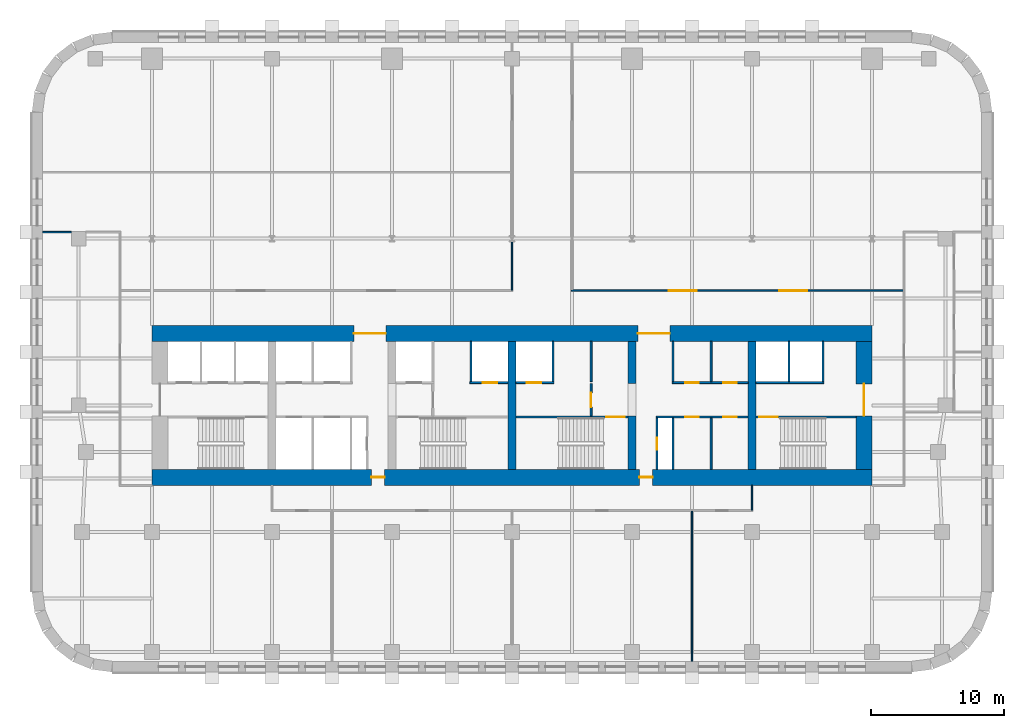
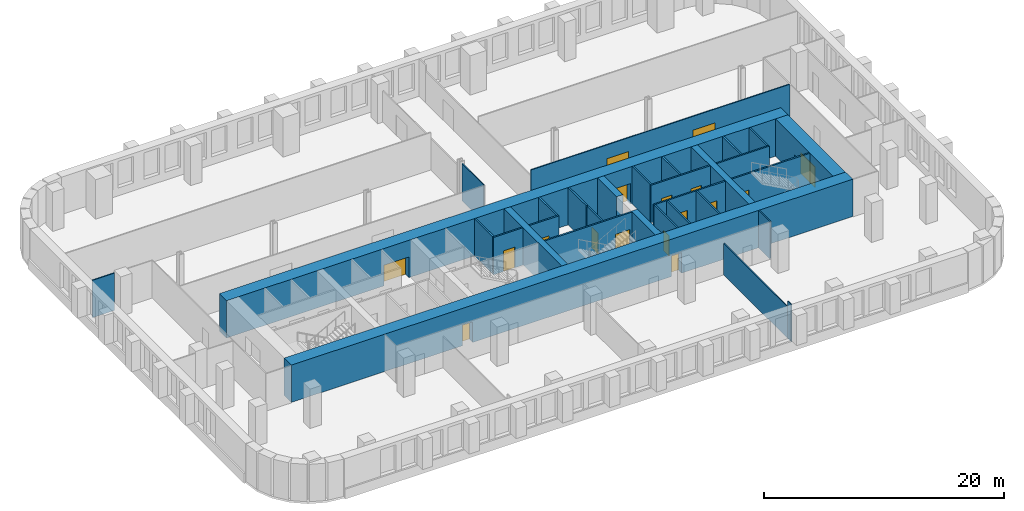
# One storey, part 6 of 11: 31 walls, 17 doors, 17 openings.
"""IFC4 building model written with IfcOpenShell, lengths in metres."""

from ifc_helpers import new_model, si_unit, direction, frame, frame_2d, origin, place, context, subcontext, project, spatial, rectangle, extrude, material, layer, layer_set, type_object, element, fill, save


model = new_model("IFC4")

# Units and contexts
model_context = context("Model", 3, precision=1e-05, world=origin(), true_north=direction((0.0, 1.0)))
body_context = subcontext(model_context, "Body", "Model", "MODEL_VIEW")
ifc_project = project(units=[si_unit("LENGTHUNIT", "METRE"), si_unit("AREAUNIT", "SQUARE_METRE"), si_unit("VOLUMEUNIT", "CUBIC_METRE"), si_unit("PLANEANGLEUNIT", "RADIAN"), si_unit("MASSUNIT", "GRAM", prefix="KILO")], contexts=[model_context])

# Site, building, storey
site_placement = place(None, origin())
site = spatial("IfcSite", under=ifc_project, at=site_placement, CompositionType="ELEMENT")
building_placement = place(site_placement, origin())
building = spatial("IfcBuilding", under=site, at=building_placement, Name="Zellij Exchange Tower", CompositionType="ELEMENT")
storey_placement = place(building_placement, frame((0.0, 0.0, 80.5)))
storey = spatial("IfcBuildingStorey", under=building, at=storey_placement, Name="L16", CompositionType="ELEMENT", Elevation=80.5)

# Walls
ifc_material_1 = material(Name="Concrete C70/85", Category="concrete")
ifc_layer_1 = layer(ifc_material_1, 0.60009765625)
ifc_layer_set_1 = layer_set([ifc_layer_1], Name="Concrete C70/85")
wall_type_1 = type_object("IfcWallType", Name="CORE-CW 600 C70/85", PredefinedType="SHEAR", material=ifc_layer_set_1)
wall_1_placement = place(storey_placement, frame((0.0, -12.800048828125, 0.0), z_axis=(0.0, 0.0, 1.0), x_axis=(0.0, 1.0, 0.0)))
element("IfcWall", 1, at=wall_1_placement, inside=storey, type_object=wall_type_1, Name="Core cross wall x 0 L16", PredefinedType="SHEAR", context=body_context, shape_type="SweptSolid", body=[
    extrude(rectangle(XDim=9.60009765625, YDim=0.60009765625, at=frame_2d((4.800048828125, 0.0))), origin(), (0.0, 0.0, 1.0), 3.800048828125),
])
wall_2_placement = place(storey_placement, frame((9.0, -12.800048828125, 0.0), z_axis=(0.0, 0.0, 1.0), x_axis=(0.0, 1.0, 0.0)))
element("IfcWall", 2, at=wall_2_placement, inside=storey, type_object=wall_type_1, Name="Core cross wall pier x 9 a L16", PredefinedType="SHEAR", context=body_context, shape_type="SweptSolid", body=[
    extrude(rectangle(XDim=4.0, YDim=0.60009765625, at=frame_2d((2.0, 0.0))), origin(), (0.0, 0.0, 1.0), 3.800048828125),
])
wall_3_placement = place(storey_placement, frame((9.0, -6.375, 0.0), z_axis=(0.0, 0.0, 1.0), x_axis=(0.0, 1.0, 0.0)))
element("IfcWall", 3, at=wall_3_placement, inside=storey, type_object=wall_type_1, Name="Core cross wall pier x 9 b L16", PredefinedType="SHEAR", context=body_context, shape_type="SweptSolid", body=[
    extrude(rectangle(XDim=3.175048828125, YDim=0.60009765625, at=frame_2d((1.58740234375, 0.0))), origin(), (0.0, 0.0, 1.0), 3.800048828125),
])
wall_4_placement = place(storey_placement, frame((18.0, -12.800048828125, 0.0), z_axis=(0.0, 0.0, 1.0), x_axis=(0.0, 1.0, 0.0)))
element("IfcWall", 4, at=wall_4_placement, inside=storey, type_object=wall_type_1, Name="Core cross wall x 18 L16", PredefinedType="SHEAR", context=body_context, shape_type="SweptSolid", body=[
    extrude(rectangle(XDim=9.60009765625, YDim=0.60009765625, at=frame_2d((4.800048828125, 0.0))), origin(), (0.0, 0.0, 1.0), 3.800048828125),
])

# Wall, opening, door
ifc_material_2 = material(Name="Gypsum shaft wall system")
ifc_layer_2 = layer(ifc_material_2, 0.14990234375)
ifc_layer_set_2 = layer_set([ifc_layer_2], Name="Gypsum shaft wall system")
wall_type_2 = type_object("IfcWallType", Name="CORE-PW 150 Firefighting lobby wall", PredefinedType="PARTITIONING", material=ifc_layer_set_2)
wall_5_placement = place(storey_placement, frame((5.925048828125, -8.800048828125, 0.0), z_axis=(0.0, 0.0, 1.0), x_axis=(0.0, 1.0, 0.0)))
wall_5 = element("IfcWall", 5, at=wall_5_placement, inside=storey, type_object=wall_type_2, Name="Firefighting lobby wall L16", PredefinedType="PARTITIONING", context=body_context, shape_type="SweptSolid", body=[
    extrude(rectangle(XDim=2.425048828125, YDim=0.14990234375, at=frame_2d((1.21240234375, 0.0))), origin(), (0.0, 0.0, 1.0), 3.800048828125),
])
opening_1_placement = place(wall_5_placement, frame((0.662109375, 0.0, 0.0)))
opening_1 = element("IfcOpeningElement", 6, at=opening_1_placement, cuts=wall_5, Name="Opening CA-09.18", PredefinedType="OPENING", context=body_context, shape_type="SweptSolid", body=[
    extrude(rectangle(XDim=1.10009765625, YDim=2.10009765625, at=frame_2d((0.550048828125, 1.050048828125))), frame((0.0, 0.0869140625, 0.0), z_axis=(0.0, -1.0, 0.0), x_axis=(1.0, 0.0, 0.0)), (0.0, 0.0, 1.0), 0.173828125),
])
ifc_material_3 = material(Name="Hollow metal fire door")
door_type_1 = type_object("IfcDoorType", Name="CORE-D F Firefighting lobby door 1100x2100 1 HR", OperationType="NOTDEFINED", PredefinedType="DOOR", material=ifc_material_3)
door_1_placement = place(opening_1_placement, origin())
door_1 = element("IfcDoor", 7, at=door_1_placement, inside=storey, type_object=door_type_1, Name="Firefighting lobby door CA-09.18", OperationType="SINGLE_SWING_RIGHT", OverallHeight=2.10009765625, OverallWidth=1.10009765625, PredefinedType="DOOR", context=body_context, shape_type="SweptSolid", body=[
    extrude(rectangle(XDim=1.10009765625, YDim=2.10009765625, at=frame_2d((0.550048828125, 1.050048828125))), frame((0.0, 0.02490234375, 0.0), z_axis=(0.0, -1.0, 0.0), x_axis=(1.0, 0.0, 0.0)), (0.0, 0.0, 1.0), 0.050048828125),
])
fill(opening_1, door_1)

# Walls
ifc_material_4 = material(Name="Gypsum board partition")
ifc_layer_3 = layer(ifc_material_4, 0.14990234375)
ifc_layer_set_3 = layer_set([ifc_layer_3], Name="Gypsum board partition")
wall_type_3 = type_object("IfcWallType", Name="CORE-PW 150 Lift lobby wall", PredefinedType="PARTITIONING", material=ifc_layer_set_3)
for number, where, z_axis, x_axis, name in (
    (8, (5.925048828125, -6.22509765625, 0.0), (0.0, 0.0, 1.0), (0.0, 1.0, 0.0), "Lift lobby wall L16"),
    (9, (12.074951171875, -6.22509765625, 0.0), (0.0, 0.0, 1.0), (0.0, 1.0, 0.0), "Lift lobby wall L16"),
    (10, (14.925048828125, -6.22509765625, 0.0), (0.0, 0.0, 1.0), (0.0, 1.0, 0.0), "Lift lobby wall L16"),
):
    element("IfcWall", number, at=place(storey_placement, frame(where, z_axis=z_axis, x_axis=x_axis)), inside=storey, type_object=wall_type_3, Name=name, PredefinedType="PARTITIONING", context=body_context, shape_type="SweptSolid", body=[
        extrude(rectangle(XDim=3.025146484375, YDim=0.14990234375, at=frame_2d((1.5126953125, 0.0))), origin(), (0.0, 0.0, 1.0), 3.800048828125),
    ])

# Wall, opening, door
wall_6_placement = place(storey_placement, frame((10.875, -12.800048828125, 0.0), z_axis=(0.0, 0.0, 1.0), x_axis=(0.0, 1.0, 0.0)))
wall_6 = element("IfcWall", 11, at=wall_6_placement, inside=storey, type_object=wall_type_3, Name="Lift lobby wall L16", PredefinedType="PARTITIONING", context=body_context, shape_type="SweptSolid", body=[
    extrude(rectangle(XDim=3.85009765625, YDim=0.14990234375, at=frame_2d((1.925048828125, 0.0))), origin(), (0.0, 0.0, 1.0), 3.800048828125),
])
opening_2_placement = place(wall_6_placement, frame((1.47509765625, 0.0, 0.0)))
opening_2 = element("IfcOpeningElement", 12, at=opening_2_placement, cuts=wall_6, Name="Opening CA-09.22", PredefinedType="OPENING", context=body_context, shape_type="SweptSolid", body=[
    extrude(rectangle(XDim=0.89990234375, YDim=2.10009765625, at=frame_2d((0.449951171875, 1.050048828125))), frame((0.0, 0.0869140625, 0.0), z_axis=(0.0, -1.0, 0.0), x_axis=(1.0, 0.0, 0.0)), (0.0, 0.0, 1.0), 0.173828125),
])
door_type_2 = type_object("IfcDoorType", Name="CORE-D RD Riser door 900x2100 1.5 HR", OperationType="NOTDEFINED", PredefinedType="DOOR", material=ifc_material_3)
door_2_placement = place(opening_2_placement, origin())
door_2 = element("IfcDoor", 13, at=door_2_placement, inside=storey, type_object=door_type_2, Name="Riser door CA-09.22", OperationType="SINGLE_SWING_LEFT", OverallHeight=2.10009765625, OverallWidth=0.89990234375, PredefinedType="DOOR", context=body_context, shape_type="SweptSolid", body=[
    extrude(rectangle(XDim=0.89990234375, YDim=2.10009765625, at=frame_2d((0.449951171875, 1.050048828125))), frame((0.0, 0.02490234375, 0.0), z_axis=(0.0, -1.0, 0.0), x_axis=(1.0, 0.0, 0.0)), (0.0, 0.0, 1.0), 0.050048828125),
])
fill(opening_2, door_2)

# Walls
for number, where, z_axis, x_axis, name in (
    (14, (12.074951171875, -12.800048828125, 0.0), (0.0, 0.0, 1.0), (0.0, 1.0, 0.0), "Lift lobby wall L16"),
    (15, (14.925048828125, -12.800048828125, 0.0), (0.0, 0.0, 1.0), (0.0, 1.0, 0.0), "Lift lobby wall L16"),
):
    element("IfcWall", number, at=place(storey_placement, frame(where, z_axis=z_axis, x_axis=x_axis)), inside=storey, type_object=wall_type_3, Name=name, PredefinedType="PARTITIONING", context=body_context, shape_type="SweptSolid", body=[
        extrude(rectangle(XDim=3.85009765625, YDim=0.14990234375, at=frame_2d((1.925048828125, 0.0))), origin(), (0.0, 0.0, 1.0), 3.800048828125),
    ])

# Wall, openings, doors
wall_7_placement = place(storey_placement, frame((12.0, -6.300048828125, 0.0), z_axis=(0.0, 0.0, 1.0), x_axis=(1.0, 0.0, 0.0)))
wall_7 = element("IfcWall", 16, at=wall_7_placement, inside=storey, type_object=wall_type_3, Name="Lift lobby wall L16", PredefinedType="PARTITIONING", context=body_context, shape_type="SweptSolid", body=[
    extrude(rectangle(XDim=5.699951171875, YDim=0.14990234375, at=frame_2d((2.85009765625, 0.0))), origin(), (0.0, 0.0, 1.0), 3.800048828125),
])
opening_3_placement = place(wall_7_placement, frame((1.0, 0.0, 0.0)))
opening_3 = element("IfcOpeningElement", 17, at=opening_3_placement, cuts=wall_7, Name="Opening CA-09.24", PredefinedType="OPENING", context=body_context, shape_type="SweptSolid", body=[
    extrude(rectangle(XDim=1.0, YDim=2.10009765625, at=frame_2d((0.5, 1.050048828125))), frame((0.0, 0.0869140625, 0.0), z_axis=(0.0, -1.0, 0.0), x_axis=(1.0, 0.0, 0.0)), (0.0, 0.0, 1.0), 0.173828125),
])
opening_4_placement = place(wall_7_placement, frame((3.85009765625, 0.0, 0.0)))
opening_4 = element("IfcOpeningElement", 18, at=opening_4_placement, cuts=wall_7, Name="Opening CA-09.26", PredefinedType="OPENING", context=body_context, shape_type="SweptSolid", body=[
    extrude(rectangle(XDim=1.0, YDim=2.10009765625, at=frame_2d((0.5, 1.050048828125))), frame((0.0, 0.0869140625, 0.0), z_axis=(0.0, -1.0, 0.0), x_axis=(1.0, 0.0, 0.0)), (0.0, 0.0, 1.0), 0.173828125),
])
door_type_3 = type_object("IfcDoorType", Name="CORE-D CD Core room door 1000x2100 1 HR", OperationType="NOTDEFINED", PredefinedType="DOOR", material=ifc_material_3)
door_3_placement = place(opening_3_placement, origin())
door_3 = element("IfcDoor", 19, at=door_3_placement, inside=storey, type_object=door_type_3, Name="Core room door CA-09.24", OperationType="SINGLE_SWING_LEFT", OverallHeight=2.10009765625, OverallWidth=1.0, PredefinedType="DOOR", context=body_context, shape_type="SweptSolid", body=[
    extrude(rectangle(XDim=1.0, YDim=2.10009765625, at=frame_2d((0.5, 1.050048828125))), frame((0.0, 0.02490234375, 0.0), z_axis=(0.0, -1.0, 0.0), x_axis=(1.0, 0.0, 0.0)), (0.0, 0.0, 1.0), 0.050048828125),
])
fill(opening_3, door_3)
door_4_placement = place(opening_4_placement, origin())
door_4 = element("IfcDoor", 20, at=door_4_placement, inside=storey, type_object=door_type_3, Name="Core room door CA-09.26", OperationType="SINGLE_SWING_RIGHT", OverallHeight=2.10009765625, OverallWidth=1.0, PredefinedType="DOOR", context=body_context, shape_type="SweptSolid", body=[
    extrude(rectangle(XDim=1.0, YDim=2.10009765625, at=frame_2d((0.5, 1.050048828125))), frame((0.0, 0.02490234375, 0.0), z_axis=(0.0, -1.0, 0.0), x_axis=(1.0, 0.0, 0.0)), (0.0, 0.0, 1.0), 0.050048828125),
])
fill(opening_4, door_4)

wall_8_placement = place(storey_placement, frame((10.800048828125, -8.875, 0.0), z_axis=(0.0, 0.0, 1.0), x_axis=(1.0, 0.0, 0.0)))
wall_8 = element("IfcWall", 21, at=wall_8_placement, inside=storey, type_object=wall_type_3, Name="Lift lobby wall L16", PredefinedType="PARTITIONING", context=body_context, shape_type="SweptSolid", body=[
    extrude(rectangle(XDim=6.89990234375, YDim=0.14990234375, at=frame_2d((3.449951171875, 0.0))), origin(), (0.0, 0.0, 1.0), 3.800048828125),
])
opening_5_placement = place(wall_8_placement, frame((2.199951171875, 0.0, 0.0)))
opening_5 = element("IfcOpeningElement", 22, at=opening_5_placement, cuts=wall_8, Name="Opening CA-09.23", PredefinedType="OPENING", context=body_context, shape_type="SweptSolid", body=[
    extrude(rectangle(XDim=1.0, YDim=2.10009765625, at=frame_2d((0.5, 1.050048828125))), frame((0.0, 0.0869140625, 0.0), z_axis=(0.0, -1.0, 0.0), x_axis=(1.0, 0.0, 0.0)), (0.0, 0.0, 1.0), 0.173828125),
])
opening_6_placement = place(wall_8_placement, frame((5.050048828125, 0.0, 0.0)))
opening_6 = element("IfcOpeningElement", 23, at=opening_6_placement, cuts=wall_8, Name="Opening CA-09.25", PredefinedType="OPENING", context=body_context, shape_type="SweptSolid", body=[
    extrude(rectangle(XDim=1.0, YDim=2.10009765625, at=frame_2d((0.5, 1.050048828125))), frame((0.0, 0.0869140625, 0.0), z_axis=(0.0, -1.0, 0.0), x_axis=(1.0, 0.0, 0.0)), (0.0, 0.0, 1.0), 0.173828125),
])
door_5_placement = place(opening_6_placement, origin())
door_5 = element("IfcDoor", 24, at=door_5_placement, inside=storey, type_object=door_type_3, Name="Core room door CA-09.25", OperationType="SINGLE_SWING_LEFT", OverallHeight=2.10009765625, OverallWidth=1.0, PredefinedType="DOOR", context=body_context, shape_type="SweptSolid", body=[
    extrude(rectangle(XDim=1.0, YDim=2.10009765625, at=frame_2d((0.5, 1.050048828125))), frame((0.0, 0.02490234375, 0.0), z_axis=(0.0, -1.0, 0.0), x_axis=(1.0, 0.0, 0.0)), (0.0, 0.0, 1.0), 0.050048828125),
])
fill(opening_6, door_5)
door_type_4 = type_object("IfcDoorType", Name="CORE-D CDA Core room door 1000x2100 1.5 HR", OperationType="NOTDEFINED", PredefinedType="DOOR", material=ifc_material_3)
door_6_placement = place(opening_5_placement, origin())
door_6 = element("IfcDoor", 25, at=door_6_placement, inside=storey, type_object=door_type_4, Name="Core room door CA-09.23", OperationType="SINGLE_SWING_RIGHT", OverallHeight=2.10009765625, OverallWidth=1.0, PredefinedType="DOOR", context=body_context, shape_type="SweptSolid", body=[
    extrude(rectangle(XDim=1.0, YDim=2.10009765625, at=frame_2d((0.5, 1.050048828125))), frame((0.0, 0.02490234375, 0.0), z_axis=(0.0, -1.0, 0.0), x_axis=(1.0, 0.0, 0.0)), (0.0, 0.0, 1.0), 0.050048828125),
])
fill(opening_5, door_6)

# Walls
ifc_layer_4 = layer(ifc_material_2, 0.14990234375)
ifc_layer_set_4 = layer_set([ifc_layer_4], Name="Gypsum shaft wall system")
wall_type_4 = type_object("IfcWallType", Name="CORE-PW 150 Lift shaft wall", PredefinedType="PARTITIONING", material=ifc_layer_set_4)
for number, where, z_axis, x_axis, name in (
    (26, (-3.074951171875, -6.22509765625, 0.0), (0.0, 0.0, 1.0), (0.0, 1.0, 0.0), "Lift shaft wall L16"),
    (27, (3.074951171875, -6.22509765625, 0.0), (0.0, 0.0, 1.0), (0.0, 1.0, 0.0), "Lift shaft wall L16"),
    (28, (20.77490234375, -6.22509765625, 0.0), (0.0, 0.0, 1.0), (0.0, 1.0, 0.0), "Lift shaft wall L16"),
    (29, (23.324951171875, -6.22509765625, 0.0), (0.0, 0.0, 1.0), (0.0, 1.0, 0.0), "Lift shaft wall L16"),
):
    element("IfcWall", number, at=place(storey_placement, frame(where, z_axis=z_axis, x_axis=x_axis)), inside=storey, type_object=wall_type_4, Name=name, PredefinedType="PARTITIONING", context=body_context, shape_type="SweptSolid", body=[
        extrude(rectangle(XDim=3.025146484375, YDim=0.14990234375, at=frame_2d((1.5126953125, 0.0))), origin(), (0.0, 0.0, 1.0), 3.800048828125),
    ])

# Wall, opening, door
wall_9_placement = place(storey_placement, frame((-3.14990234375, -6.300048828125, 0.0), z_axis=(0.0, 0.0, 1.0), x_axis=(1.0, 0.0, 0.0)))
wall_9 = element("IfcWall", 30, at=wall_9_placement, inside=storey, type_object=wall_type_4, Name="Lift shaft wall L16", PredefinedType="PARTITIONING", context=body_context, shape_type="SweptSolid", body=[
    extrude(rectangle(XDim=2.849853515625, YDim=0.14990234375, at=frame_2d((1.4248046875, 0.0))), origin(), (0.0, 0.0, 1.0), 3.800048828125),
])
opening_7_placement = place(wall_9_placement, frame((0.949951171875, 0.0, 0.0)))
opening_7 = element("IfcOpeningElement", 31, at=opening_7_placement, cuts=wall_9, Name="Opening CA-09.16", PredefinedType="OPENING", context=body_context, shape_type="SweptSolid", body=[
    extrude(rectangle(XDim=1.10009765625, YDim=2.10009765625, at=frame_2d((0.550048828125, 1.050048828125))), frame((0.0, 0.0869140625, 0.0), z_axis=(0.0, -1.0, 0.0), x_axis=(1.0, 0.0, 0.0)), (0.0, 0.0, 1.0), 0.173828125),
])
door_type_5 = type_object("IfcDoorType", Name="CORE-D LD Lift landing door 1100x2100 1.5 HR", OperationType="NOTDEFINED", PredefinedType="DOOR", material=ifc_material_3)
door_7_placement = place(opening_7_placement, origin())
door_7 = element("IfcDoor", 32, at=door_7_placement, inside=storey, type_object=door_type_5, Name="Lift landing door CA-09.16", OperationType="SLIDING_TO_RIGHT", OverallHeight=2.10009765625, OverallWidth=1.10009765625, PredefinedType="DOOR", context=body_context, shape_type="SweptSolid", body=[
    extrude(rectangle(XDim=1.10009765625, YDim=2.10009765625, at=frame_2d((0.550048828125, 1.050048828125))), frame((0.0, 0.02490234375, 0.0), z_axis=(0.0, -1.0, 0.0), x_axis=(1.0, 0.0, 0.0)), (0.0, 0.0, 1.0), 0.050048828125),
])
fill(opening_7, door_7)

wall_10_placement = place(storey_placement, frame((0.300048828125, -6.300048828125, 0.0), z_axis=(0.0, 0.0, 1.0), x_axis=(1.0, 0.0, 0.0)))
wall_10 = element("IfcWall", 33, at=wall_10_placement, inside=storey, type_object=wall_type_4, Name="Lift shaft wall L16", PredefinedType="PARTITIONING", context=body_context, shape_type="SweptSolid", body=[
    extrude(rectangle(XDim=2.849853515625, YDim=0.14990234375, at=frame_2d((1.4248046875, 0.0))), origin(), (0.0, 0.0, 1.0), 3.800048828125),
])
opening_8_placement = place(wall_10_placement, frame((0.800048828125, 0.0, 0.0)))
opening_8 = element("IfcOpeningElement", 34, at=opening_8_placement, cuts=wall_10, Name="Opening CA-09.17", PredefinedType="OPENING", context=body_context, shape_type="SweptSolid", body=[
    extrude(rectangle(XDim=1.10009765625, YDim=2.10009765625, at=frame_2d((0.550048828125, 1.050048828125))), frame((0.0, 0.0869140625, 0.0), z_axis=(0.0, -1.0, 0.0), x_axis=(1.0, 0.0, 0.0)), (0.0, 0.0, 1.0), 0.173828125),
])
door_8_placement = place(opening_8_placement, origin())
door_8 = element("IfcDoor", 35, at=door_8_placement, inside=storey, type_object=door_type_5, Name="Lift landing door CA-09.17", OperationType="SLIDING_TO_LEFT", OverallHeight=2.10009765625, OverallWidth=1.10009765625, PredefinedType="DOOR", context=body_context, shape_type="SweptSolid", body=[
    extrude(rectangle(XDim=1.10009765625, YDim=2.10009765625, at=frame_2d((0.550048828125, 1.050048828125))), frame((0.0, 0.02490234375, 0.0), z_axis=(0.0, -1.0, 0.0), x_axis=(1.0, 0.0, 0.0)), (0.0, 0.0, 1.0), 0.050048828125),
])
fill(opening_8, door_8)

# Wall
wall_11_placement = place(storey_placement, frame((18.300048828125, -6.300048828125, 0.0), z_axis=(0.0, 0.0, 1.0), x_axis=(1.0, 0.0, 0.0)))
element("IfcWall", 36, at=wall_11_placement, inside=storey, type_object=wall_type_4, Name="Lift shaft wall L16", PredefinedType="PARTITIONING", context=body_context, shape_type="SweptSolid", body=[
    extrude(rectangle(XDim=5.099853515625, YDim=0.14990234375, at=frame_2d((2.5498046875, 0.0))), origin(), (0.0, 0.0, 1.0), 3.800048828125),
])

# Wall, openings, doors
ifc_layer_5 = layer(ifc_material_1, 1.199951171875)
ifc_layer_set_5 = layer_set([ifc_layer_5], Name="Concrete C70/85")
wall_type_5 = type_object("IfcWallType", Name="CORE-SW 1200 C70/85", PredefinedType="SHEAR", material=ifc_layer_set_5)
wall_12_placement = place(storey_placement, frame((-27.0, -2.60009765625, 0.0), z_axis=(0.0, 0.0, 1.0), x_axis=(1.0, 0.0, 0.0)))
wall_12 = element("IfcWall", 37, at=wall_12_placement, inside=storey, type_object=wall_type_5, Name="Core shear wall front L16", PredefinedType="SHEAR", context=body_context, shape_type="SweptSolid", body=[
    extrude(rectangle(XDim=54.0, YDim=1.199951171875, at=frame_2d((27.0, 0.0))), origin(), (0.0, 0.0, 1.0), 3.800048828125),
])
opening_9_placement = place(wall_12_placement, frame((15.14990234375, 0.0, 0.0)))
opening_9 = element("IfcOpeningElement", 38, at=opening_9_placement, cuts=wall_12, Name="Opening CA-09.11", PredefinedType="OPENING", context=body_context, shape_type="SweptSolid", body=[
    extrude(rectangle(XDim=2.39990234375, YDim=2.10009765625, at=frame_2d((1.199951171875, 1.050048828125))), frame((0.0, 0.61181640625, 0.0), z_axis=(0.0, -1.0, 0.0), x_axis=(1.0, 0.0, 0.0)), (0.0, 0.0, 1.0), 1.223876953125),
])
opening_10_placement = place(wall_12_placement, frame((36.449951171875, 0.0, 0.0)))
opening_10 = element("IfcOpeningElement", 39, at=opening_10_placement, cuts=wall_12, Name="Opening CA-09.21", PredefinedType="OPENING", context=body_context, shape_type="SweptSolid", body=[
    extrude(rectangle(XDim=2.39990234375, YDim=2.10009765625, at=frame_2d((1.199951171875, 1.050048828125))), frame((0.0, 0.61181640625, 0.0), z_axis=(0.0, -1.0, 0.0), x_axis=(1.0, 0.0, 0.0)), (0.0, 0.0, 1.0), 1.223876953125),
])
door_type_6 = type_object("IfcDoorType", Name="CORE-D CE Core entrance door 2400x2100 20 MIN", OperationType="NOTDEFINED", PredefinedType="DOOR", material=ifc_material_3)
door_9_placement = place(opening_9_placement, origin())
door_9 = element("IfcDoor", 40, at=door_9_placement, inside=storey, type_object=door_type_6, Name="Core entrance door CA-09.11", OperationType="DOUBLE_DOOR_SINGLE_SWING", OverallHeight=2.10009765625, OverallWidth=2.39990234375, PredefinedType="DOOR", context=body_context, shape_type="SweptSolid", body=[
    extrude(rectangle(XDim=2.39990234375, YDim=2.10009765625, at=frame_2d((1.199951171875, 1.050048828125))), frame((0.0, 0.02490234375, 0.0), z_axis=(0.0, -1.0, 0.0), x_axis=(1.0, 0.0, 0.0)), (0.0, 0.0, 1.0), 0.050048828125),
])
fill(opening_9, door_9)
door_10_placement = place(opening_10_placement, origin())
door_10 = element("IfcDoor", 41, at=door_10_placement, inside=storey, type_object=door_type_6, Name="Core entrance door CA-09.21", OperationType="DOUBLE_DOOR_SINGLE_SWING", OverallHeight=2.10009765625, OverallWidth=2.39990234375, PredefinedType="DOOR", context=body_context, shape_type="SweptSolid", body=[
    extrude(rectangle(XDim=2.39990234375, YDim=2.10009765625, at=frame_2d((1.199951171875, 1.050048828125))), frame((0.0, 0.02490234375, 0.0), z_axis=(0.0, -1.0, 0.0), x_axis=(1.0, 0.0, 0.0)), (0.0, 0.0, 1.0), 0.050048828125),
])
fill(opening_10, door_10)

wall_13_placement = place(storey_placement, frame((-27.0, -13.39990234375, 0.0), z_axis=(0.0, 0.0, 1.0), x_axis=(1.0, 0.0, 0.0)))
wall_13 = element("IfcWall", 42, at=wall_13_placement, inside=storey, type_object=wall_type_5, Name="Core shear wall rear L16", PredefinedType="SHEAR", context=body_context, shape_type="SweptSolid", body=[
    extrude(rectangle(XDim=54.0, YDim=1.199951171875, at=frame_2d((27.0, 0.0))), origin(), (0.0, 0.0, 1.0), 3.800048828125),
])
opening_11_placement = place(wall_13_placement, frame((16.449951171875, 0.0, 0.0)))
opening_11 = element("IfcOpeningElement", 43, at=opening_11_placement, cuts=wall_13, Name="Opening CA-09.12", PredefinedType="OPENING", context=body_context, shape_type="SweptSolid", body=[
    extrude(rectangle(XDim=1.0, YDim=2.10009765625, at=frame_2d((0.5, 1.050048828125))), frame((0.0, 0.61181640625, 0.0), z_axis=(0.0, -1.0, 0.0), x_axis=(1.0, 0.0, 0.0)), (0.0, 0.0, 1.0), 1.223876953125),
])
opening_12_placement = place(wall_13_placement, frame((36.550048828125, 0.0, 0.0)))
opening_12 = element("IfcOpeningElement", 44, at=opening_12_placement, cuts=wall_13, Name="Opening CA-09.20", PredefinedType="OPENING", context=body_context, shape_type="SweptSolid", body=[
    extrude(rectangle(XDim=1.0, YDim=2.10009765625, at=frame_2d((0.5, 1.050048828125))), frame((0.0, 0.61181640625, 0.0), z_axis=(0.0, -1.0, 0.0), x_axis=(1.0, 0.0, 0.0)), (0.0, 0.0, 1.0), 1.223876953125),
])
door_type_7 = type_object("IfcDoorType", Name="CORE-D CR Core rear door 1000x2100 20 MIN", OperationType="NOTDEFINED", PredefinedType="DOOR", material=ifc_material_3)
door_11_placement = place(opening_11_placement, origin())
door_11 = element("IfcDoor", 45, at=door_11_placement, inside=storey, type_object=door_type_7, Name="Core rear door CA-09.12", OperationType="SINGLE_SWING_RIGHT", OverallHeight=2.10009765625, OverallWidth=1.0, PredefinedType="DOOR", context=body_context, shape_type="SweptSolid", body=[
    extrude(rectangle(XDim=1.0, YDim=2.10009765625, at=frame_2d((0.5, 1.050048828125))), frame((0.0, 0.02490234375, 0.0), z_axis=(0.0, -1.0, 0.0), x_axis=(1.0, 0.0, 0.0)), (0.0, 0.0, 1.0), 0.050048828125),
])
fill(opening_11, door_11)
door_12_placement = place(opening_12_placement, origin())
door_12 = element("IfcDoor", 46, at=door_12_placement, inside=storey, type_object=door_type_7, Name="Core rear door CA-09.20", OperationType="SINGLE_SWING_LEFT", OverallHeight=2.10009765625, OverallWidth=1.0, PredefinedType="DOOR", context=body_context, shape_type="SweptSolid", body=[
    extrude(rectangle(XDim=1.0, YDim=2.10009765625, at=frame_2d((0.5, 1.050048828125))), frame((0.0, 0.02490234375, 0.0), z_axis=(0.0, -1.0, 0.0), x_axis=(1.0, 0.0, 0.0)), (0.0, 0.0, 1.0), 0.050048828125),
])
fill(opening_12, door_12)

# Wall, opening, door
wall_14_placement = place(storey_placement, frame((26.39990234375, -12.800048828125, 0.0), z_axis=(0.0, 0.0, 1.0), x_axis=(0.0, 1.0, 0.0)))
wall_14 = element("IfcWall", 47, at=wall_14_placement, inside=storey, type_object=wall_type_5, Name="Core shear wall end e L16", PredefinedType="SHEAR", context=body_context, shape_type="SweptSolid", body=[
    extrude(rectangle(XDim=9.60009765625, YDim=1.199951171875, at=frame_2d((4.800048828125, 0.0))), origin(), (0.0, 0.0, 1.0), 3.800048828125),
])
opening_13_placement = place(wall_14_placement, frame((4.011962890625, 0.0, 0.0)))
opening_13 = element("IfcOpeningElement", 48, at=opening_13_placement, cuts=wall_14, Name="Opening CA-09.28", PredefinedType="OPENING", context=body_context, shape_type="SweptSolid", body=[
    extrude(rectangle(XDim=2.39990234375, YDim=2.10009765625, at=frame_2d((1.199951171875, 1.050048828125))), frame((0.0, 0.61181640625, 0.0), z_axis=(0.0, -1.0, 0.0), x_axis=(1.0, 0.0, 0.0)), (0.0, 0.0, 1.0), 1.223876953125),
])
door_13_placement = place(opening_13_placement, origin())
door_13 = element("IfcDoor", 49, at=door_13_placement, inside=storey, type_object=door_type_6, Name="Core entrance door CA-09.28", OperationType="DOUBLE_DOOR_SINGLE_SWING", OverallHeight=2.10009765625, OverallWidth=2.39990234375, PredefinedType="DOOR", context=body_context, shape_type="SweptSolid", body=[
    extrude(rectangle(XDim=2.39990234375, YDim=2.10009765625, at=frame_2d((1.199951171875, 1.050048828125))), frame((0.0, 0.02490234375, 0.0), z_axis=(0.0, -1.0, 0.0), x_axis=(1.0, 0.0, 0.0)), (0.0, 0.0, 1.0), 0.050048828125),
])
fill(opening_13, door_13)

ifc_layer_6 = layer(ifc_material_1, 0.14990234375)
ifc_layer_set_6 = layer_set([ifc_layer_6], Name="Concrete C70/85")
wall_type_6 = type_object("IfcWallType", Name="CORE-SWS 150 C70/85", PredefinedType="SHEAR", material=ifc_layer_set_6)
wall_15_placement = place(storey_placement, frame((0.300048828125, -8.875, 0.0), z_axis=(0.0, 0.0, 1.0), x_axis=(1.0, 0.0, 0.0)))
wall_15 = element("IfcWall", 50, at=wall_15_placement, inside=storey, type_object=wall_type_6, Name="Stair enclosure wall L16", PredefinedType="SHEAR", context=body_context, shape_type="SweptSolid", body=[
    extrude(rectangle(XDim=8.39990234375, YDim=0.14990234375, at=frame_2d((4.199951171875, 0.0))), origin(), (0.0, 0.0, 1.0), 3.800048828125),
])
opening_14_placement = place(wall_15_placement, frame((6.77490234375, 0.0, 0.0)))
opening_14 = element("IfcOpeningElement", 51, at=opening_14_placement, cuts=wall_15, Name="Opening CA-09.19", PredefinedType="OPENING", context=body_context, shape_type="SweptSolid", body=[
    extrude(rectangle(XDim=1.39990234375, YDim=2.10009765625, at=frame_2d((0.699951171875, 1.050048828125))), frame((0.0, 0.0869140625, 0.0), z_axis=(0.0, -1.0, 0.0), x_axis=(1.0, 0.0, 0.0)), (0.0, 0.0, 1.0), 0.173828125),
])
door_type_8 = type_object("IfcDoorType", Name="CORE-D SD Stair door 1400x2100 1.5 HR", OperationType="NOTDEFINED", PredefinedType="DOOR", material=ifc_material_3)
door_14_placement = place(opening_14_placement, origin())
door_14 = element("IfcDoor", 52, at=door_14_placement, inside=storey, type_object=door_type_8, Name="Stair door CA-09.19", OperationType="DOUBLE_DOOR_SINGLE_SWING", OverallHeight=2.10009765625, OverallWidth=1.39990234375, PredefinedType="DOOR", context=body_context, shape_type="SweptSolid", body=[
    extrude(rectangle(XDim=1.39990234375, YDim=2.10009765625, at=frame_2d((0.699951171875, 1.050048828125))), frame((0.0, 0.02490234375, 0.0), z_axis=(0.0, -1.0, 0.0), x_axis=(1.0, 0.0, 0.0)), (0.0, 0.0, 1.0), 0.050048828125),
])
fill(opening_14, door_14)

wall_16_placement = place(storey_placement, frame((18.300048828125, -8.875, 0.0), z_axis=(0.0, 0.0, 1.0), x_axis=(1.0, 0.0, 0.0)))
wall_16 = element("IfcWall", 53, at=wall_16_placement, inside=storey, type_object=wall_type_6, Name="Stair enclosure wall L16", PredefinedType="SHEAR", context=body_context, shape_type="SweptSolid", body=[
    extrude(rectangle(XDim=7.5, YDim=0.14990234375, at=frame_2d((3.75, 0.0))), origin(), (0.0, 0.0, 1.0), 3.800048828125),
])
opening_15_placement = place(wall_16_placement, frame((0.22509765625, 0.0, 0.0)))
opening_15 = element("IfcOpeningElement", 54, at=opening_15_placement, cuts=wall_16, Name="Opening CA-09.27", PredefinedType="OPENING", context=body_context, shape_type="SweptSolid", body=[
    extrude(rectangle(XDim=1.39990234375, YDim=2.10009765625, at=frame_2d((0.699951171875, 1.050048828125))), frame((0.0, 0.0869140625, 0.0), z_axis=(0.0, -1.0, 0.0), x_axis=(1.0, 0.0, 0.0)), (0.0, 0.0, 1.0), 0.173828125),
])
door_15_placement = place(opening_15_placement, origin())
door_15 = element("IfcDoor", 55, at=door_15_placement, inside=storey, type_object=door_type_8, Name="Stair door CA-09.27", OperationType="DOUBLE_DOOR_SINGLE_SWING", OverallHeight=2.10009765625, OverallWidth=1.39990234375, PredefinedType="DOOR", context=body_context, shape_type="SweptSolid", body=[
    extrude(rectangle(XDim=1.39990234375, YDim=2.10009765625, at=frame_2d((0.699951171875, 1.050048828125))), frame((0.0, 0.02490234375, 0.0), z_axis=(0.0, -1.0, 0.0), x_axis=(1.0, 0.0, 0.0)), (0.0, 0.0, 1.0), 0.050048828125),
])
fill(opening_15, door_15)

# Walls
ifc_material_5 = material(Name="Gypsum board partition on steel studs", Category="steel")
ifc_layer_7 = layer(ifc_material_5, 0.10009765625)
ifc_layer_set_7 = layer_set([ifc_layer_7], Name="Gypsum board partition on steel studs")
wall_type_7 = type_object("IfcWallType", Name="FIT-PARTITION-100", PredefinedType="PARTITIONING", material=ifc_layer_set_7)
wall_17_placement = place(storey_placement, frame((13.5, -27.199951171875, 0.0), z_axis=(0.0, 0.0, 1.0), x_axis=(0.0, 1.0, 0.0)))
element("IfcWall", 56, at=wall_17_placement, inside=storey, type_object=wall_type_7, Name="FIT-PARTITION-100 005", PredefinedType="PARTITIONING", context=body_context, shape_type="SweptSolid", body=[
    extrude(rectangle(XDim=0.58544921875, YDim=0.10009765625, at=frame_2d((0.292724609375, 0.0))), origin(), (0.0, 0.0, 1.0), 3.800048828125),
])
wall_18_placement = place(storey_placement, frame((13.5, -26.614501953125, 0.0), z_axis=(0.0, 0.0, 1.0), x_axis=(0.0, 1.0, 0.0)))
element("IfcWall", 57, at=wall_18_placement, inside=storey, type_object=wall_type_7, Name="FIT-PARTITION-100 006", PredefinedType="PARTITIONING", context=body_context, shape_type="SweptSolid", body=[
    extrude(rectangle(XDim=10.66455078125, YDim=0.10009765625, at=frame_2d((5.332275390625, 0.0))), origin(), (0.0, 0.0, 1.0), 3.197998046875),
])
wall_19_placement = place(storey_placement, frame((18.0, -15.85009765625, 0.0), z_axis=(0.0, 0.0, 1.0), x_axis=(0.0, 1.0, 0.0)))
element("IfcWall", 58, at=wall_19_placement, inside=storey, type_object=wall_type_7, Name="FIT-PARTITION-100 009", PredefinedType="PARTITIONING", context=body_context, shape_type="SweptSolid", body=[
    extrude(rectangle(XDim=1.85009765625, YDim=0.10009765625, at=frame_2d((0.925048828125, 0.0))), origin(), (0.0, 0.0, 1.0), 3.800048828125),
])
wall_20_placement = place(storey_placement, frame((0.0, 0.64990234375, 0.0), z_axis=(0.0, 0.0, 1.0), x_axis=(0.0, 1.0, 0.0)))
element("IfcWall", 59, at=wall_20_placement, inside=storey, type_object=wall_type_7, Name="FIT-PARTITION-100 022", PredefinedType="PARTITIONING", context=body_context, shape_type="SweptSolid", body=[
    extrude(rectangle(XDim=3.60107421875, YDim=0.10009765625, at=frame_2d((1.800537109375, 0.0))), origin(), (0.0, 0.0, 1.0), 3.800048828125),
])

# Wall, openings, doors
wall_21_placement = place(storey_placement, frame((4.449951171875, 0.60009765625, 0.0), z_axis=(0.0, 0.0, 1.0), x_axis=(1.0, 0.0, 0.0)))
wall_21 = element("IfcWall", 60, at=wall_21_placement, inside=storey, type_object=wall_type_7, Name="FIT-PARTITION-100 025", PredefinedType="PARTITIONING", context=body_context, shape_type="SweptSolid", body=[
    extrude(rectangle(XDim=24.900146484375, YDim=0.10009765625, at=frame_2d((12.4501953125, 0.0))), origin(), (0.0, 0.0, 1.0), 3.800048828125),
])
opening_16_placement = place(wall_21_placement, frame((7.300048828125, 0.0, 0.0)))
opening_16 = element("IfcOpeningElement", 61, at=opening_16_placement, cuts=wall_21, Name="Opening TC.11", PredefinedType="OPENING", context=body_context, shape_type="SweptSolid", body=[
    extrude(rectangle(XDim=2.10009765625, YDim=2.39990234375, at=frame_2d((1.050048828125, 1.199951171875))), frame((0.0, 0.06201171875, 0.0), z_axis=(0.0, -1.0, 0.0), x_axis=(1.0, 0.0, 0.0)), (0.0, 0.0, 1.0), 0.1240234375),
])
opening_17_placement = place(wall_21_placement, frame((15.60009765625, 0.0, 0.0)))
opening_17 = element("IfcOpeningElement", 62, at=opening_17_placement, cuts=wall_21, Name="Opening TC.12", PredefinedType="OPENING", context=body_context, shape_type="SweptSolid", body=[
    extrude(rectangle(XDim=2.10009765625, YDim=2.39990234375, at=frame_2d((1.050048828125, 1.199951171875))), frame((0.0, 0.06201171875, 0.0), z_axis=(0.0, -1.0, 0.0), x_axis=(1.0, 0.0, 0.0)), (0.0, 0.0, 1.0), 0.1240234375),
])
ifc_material_6 = material(Name="Timber door set", Category="wood")
door_type_9 = type_object("IfcDoorType", Name="FIT-D7-ASSEMBLY-2100X2400", OperationType="DOUBLE_DOOR_SINGLE_SWING", PredefinedType="DOOR", material=ifc_material_6)
door_16_placement = place(opening_16_placement, origin())
door_16 = element("IfcDoor", 63, at=door_16_placement, inside=storey, type_object=door_type_9, Name="Door TC.11", OperationType="DOUBLE_DOOR_SINGLE_SWING", OverallHeight=2.39990234375, OverallWidth=2.10009765625, PredefinedType="DOOR", context=body_context, shape_type="SweptSolid", body=[
    extrude(rectangle(XDim=2.10009765625, YDim=2.39990234375, at=frame_2d((1.050048828125, 1.199951171875))), frame((0.0, 0.02490234375, 0.0), z_axis=(0.0, -1.0, 0.0), x_axis=(1.0, 0.0, 0.0)), (0.0, 0.0, 1.0), 0.050048828125),
])
fill(opening_16, door_16)
door_17_placement = place(opening_17_placement, origin())
door_17 = element("IfcDoor", 64, at=door_17_placement, inside=storey, type_object=door_type_9, Name="Door TC.12", OperationType="DOUBLE_DOOR_SINGLE_SWING", OverallHeight=2.39990234375, OverallWidth=2.10009765625, PredefinedType="DOOR", context=body_context, shape_type="SweptSolid", body=[
    extrude(rectangle(XDim=2.10009765625, YDim=2.39990234375, at=frame_2d((1.050048828125, 1.199951171875))), frame((0.0, 0.02490234375, 0.0), z_axis=(0.0, -1.0, 0.0), x_axis=(1.0, 0.0, 0.0)), (0.0, 0.0, 1.0), 0.050048828125),
])
fill(opening_17, door_17)

# Wall
wall_22_placement = place(storey_placement, frame((-35.199951171875, 4.989990234375, 0.0), z_axis=(0.0, 0.0, 1.0), x_axis=(1.0, 0.0, 0.0)))
element("IfcWall", 65, at=wall_22_placement, inside=storey, type_object=wall_type_7, Name="FIT-PARTITION-100 028", PredefinedType="PARTITIONING", context=body_context, shape_type="SweptSolid", body=[
    extrude(rectangle(XDim=2.14990234375, YDim=0.10009765625, at=frame_2d((1.074951171875, 0.0))), origin(), (0.0, 0.0, 1.0), 3.800048828125),
])

save(model, "model.ifc")
